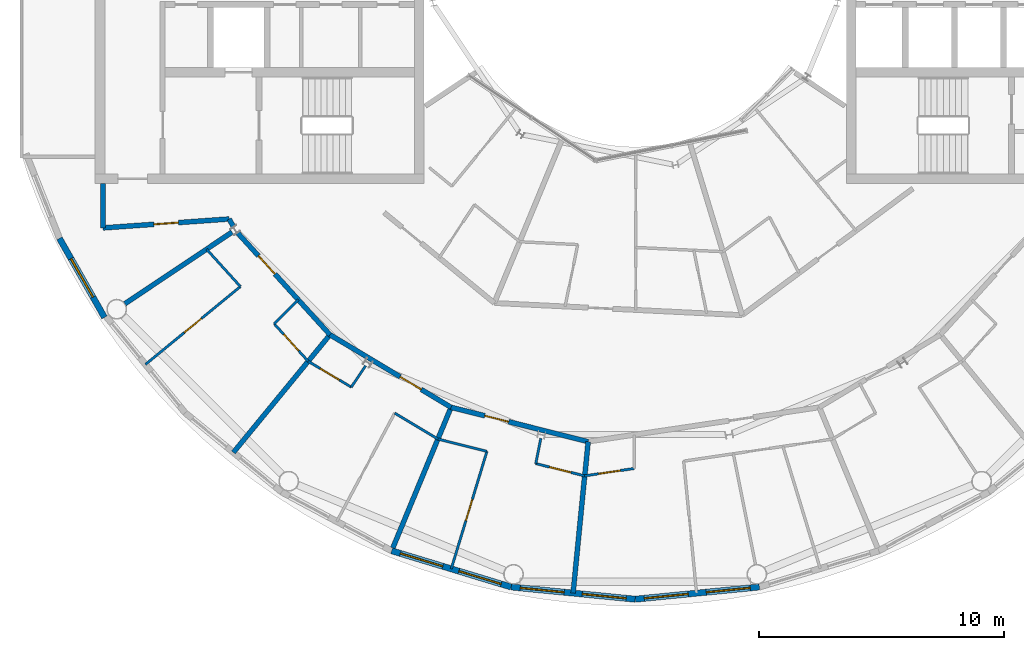
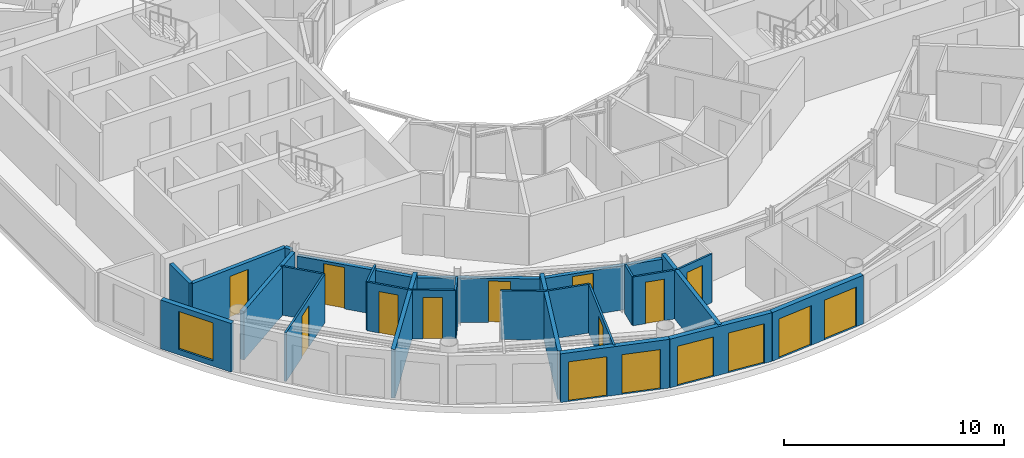
# One storey, part 11 of 22: 27 walls, 16 doors, 1 window, 17 openings.
"""IFC4 building model written with IfcOpenShell, lengths in metres."""

from ifc_helpers import new_model, si_unit, direction, frame, frame_2d, origin, place, context, subcontext, project, spatial, rectangle, extrude, material, layer, layer_set, type_object, element, fill, save


model = new_model("IFC4")

# Units and contexts
model_context = context("Model", 3, precision=1e-05, world=origin(), true_north=direction((0.0, 1.0)))
body_context = subcontext(model_context, "Body", "Model", "MODEL_VIEW")
ifc_project = project(units=[si_unit("LENGTHUNIT", "METRE"), si_unit("AREAUNIT", "SQUARE_METRE"), si_unit("VOLUMEUNIT", "CUBIC_METRE"), si_unit("PLANEANGLEUNIT", "RADIAN"), si_unit("MASSUNIT", "GRAM", prefix="KILO")], contexts=[model_context])

# Site, building, storey
site_placement = place(None, origin())
site = spatial("IfcSite", under=ifc_project, at=site_placement, CompositionType="ELEMENT")
building_placement = place(site_placement, origin())
building = spatial("IfcBuilding", under=site, at=building_placement, Name="Maasbend Ring Residences", CompositionType="ELEMENT")
storey_placement = place(building_placement, frame((0.0, 0.0, 237.10009765625)))
storey = spatial("IfcBuildingStorey", under=building, at=storey_placement, Name="L68", CompositionType="ELEMENT", Elevation=237.10009765625)

# Wall
ifc_material_1 = material(Name="Concrete C30/37", Category="concrete")
ifc_layer_1 = layer(ifc_material_1, 0.199951171875)
ifc_layer_set_1 = layer_set([ifc_layer_1], Name="Concrete C30/37")
wall_type_1 = type_object("IfcWallType", Name="CORRIDOR WALL 200 CONCRETE", PredefinedType="PARTITIONING", material=ifc_layer_set_1)
wall_1_placement = place(storey_placement, frame((-16.534912109375, -10.43701171875, 0.0), z_axis=(0.0, 0.0, 1.0), x_axis=(0.465802239822, -0.884888848035, 0.0)))
element("IfcWall", 1, at=wall_1_placement, inside=storey, type_object=wall_type_1, Name="U-L68-w015", PredefinedType="PARTITIONING", context=body_context, shape_type="SweptSolid", body=[
    extrude(rectangle(XDim=0.360595703125, YDim=0.199951171875, at=frame_2d((0.18017578125, 0.0))), origin(), (0.0, 0.0, 1.0), 2.699951171875),
])

# Wall, opening, door
wall_2_placement = place(storey_placement, frame((-16.195068359375, -11.001953125, 0.0), z_axis=(0.0, 0.0, 1.0), x_axis=(0.671619657805, -0.740896102871, 0.0)))
wall_2 = element("IfcWall", 2, at=wall_2_placement, inside=storey, type_object=wall_type_1, Name="U-L68-w017", PredefinedType="PARTITIONING", context=body_context, shape_type="SweptSolid", body=[
    extrude(rectangle(XDim=5.599853515625, YDim=0.199951171875, at=frame_2d((2.7998046875, 0.0))), origin(), (0.0, 0.0, 1.0), 2.449951171875),
])
opening_1_placement = place(wall_2_placement, frame((1.264892578125, 0.0, 0.0)))
opening_1 = element("IfcOpeningElement", 3, at=opening_1_placement, cuts=wall_2, Name="Opening D-6833", PredefinedType="OPENING", context=body_context, shape_type="SweptSolid", body=[
    extrude(rectangle(XDim=1.0, YDim=2.300048828125, at=frame_2d((0.5, 1.14990234375))), frame((0.0, 0.10986328125, 0.0), z_axis=(0.0, -1.0, 0.0), x_axis=(1.0, 0.0, 0.0)), (0.0, 0.0, 1.0), 0.219970703125),
])
ifc_material_2 = material(Name="Timber, fire-rated, painted", Category="wood")
door_type_1 = type_object("IfcDoorType", Name="FLAT ENTRANCE DOOR 1000 X 2300 FIRE-RATED", OperationType="NOTDEFINED", PredefinedType="DOOR", material=ifc_material_2)
door_1_placement = place(opening_1_placement, origin())
door_1 = element("IfcDoor", 4, at=door_1_placement, inside=storey, type_object=door_type_1, Name="D-6833", OperationType="SINGLE_SWING_LEFT", OverallHeight=2.300048828125, OverallWidth=1.0, PredefinedType="DOOR", context=body_context, shape_type="SweptSolid", body=[
    extrude(rectangle(XDim=1.0, YDim=2.300048828125, at=frame_2d((0.5, 1.14990234375))), frame((0.0, 0.02490234375, 0.0), z_axis=(0.0, -1.0, 0.0), x_axis=(1.0, 0.0, 0.0)), (0.0, 0.0, 1.0), 0.050048828125),
])
fill(opening_1, door_1)

wall_3_placement = place(storey_placement, frame((-12.43408203125, -15.15087890625, 0.0), z_axis=(0.0, 0.0, 1.0), x_axis=(0.857710084627, -0.514133650648, 0.0)))
wall_3 = element("IfcWall", 5, at=wall_3_placement, inside=storey, type_object=wall_type_1, Name="U-L68-w018", PredefinedType="PARTITIONING", context=body_context, shape_type="SweptSolid", body=[
    extrude(rectangle(XDim=5.75146484375, YDim=0.199951171875, at=frame_2d((2.875732421875, 0.0))), origin(), (0.0, 0.0, 1.0), 2.449951171875),
])
opening_2_placement = place(wall_3_placement, frame((3.3330078125, 0.0, 0.0)))
opening_2 = element("IfcOpeningElement", 6, at=opening_2_placement, cuts=wall_3, Name="Opening D-6836", PredefinedType="OPENING", context=body_context, shape_type="SweptSolid", body=[
    extrude(rectangle(XDim=1.0, YDim=2.300048828125, at=frame_2d((0.5, 1.14990234375))), frame((0.0, 0.10986328125, 0.0), z_axis=(0.0, -1.0, 0.0), x_axis=(1.0, 0.0, 0.0)), (0.0, 0.0, 1.0), 0.219970703125),
])
door_2_placement = place(opening_2_placement, origin())
door_2 = element("IfcDoor", 7, at=door_2_placement, inside=storey, type_object=door_type_1, Name="D-6836", OperationType="SINGLE_SWING_RIGHT", OverallHeight=2.300048828125, OverallWidth=1.0, PredefinedType="DOOR", context=body_context, shape_type="SweptSolid", body=[
    extrude(rectangle(XDim=1.0, YDim=2.300048828125, at=frame_2d((0.5, 1.14990234375))), frame((0.0, 0.02490234375, 0.0), z_axis=(0.0, -1.0, 0.0), x_axis=(1.0, 0.0, 0.0)), (0.0, 0.0, 1.0), 0.050048828125),
])
fill(opening_2, door_2)

wall_4_placement = place(storey_placement, frame((-7.5009765625, -18.10791015625, 0.0), z_axis=(0.0, 0.0, 1.0), x_axis=(0.970012544183, -0.243054858266, 0.0)))
wall_4 = element("IfcWall", 8, at=wall_4_placement, inside=storey, type_object=wall_type_1, Name="U-L68-w019", PredefinedType="PARTITIONING", context=body_context, shape_type="SweptSolid", body=[
    extrude(rectangle(XDim=5.752685546875, YDim=0.199951171875, at=frame_2d((2.87646484375, 0.0))), origin(), (0.0, 0.0, 1.0), 2.449951171875),
])
opening_3_placement = place(wall_4_placement, frame((1.4169921875, 0.0, 0.0)))
opening_3 = element("IfcOpeningElement", 9, at=opening_3_placement, cuts=wall_4, Name="Opening D-6839", PredefinedType="OPENING", context=body_context, shape_type="SweptSolid", body=[
    extrude(rectangle(XDim=1.0, YDim=2.300048828125, at=frame_2d((0.5, 1.14990234375))), frame((0.0, 0.10986328125, 0.0), z_axis=(0.0, -1.0, 0.0), x_axis=(1.0, 0.0, 0.0)), (0.0, 0.0, 1.0), 0.219970703125),
])
door_3_placement = place(opening_3_placement, origin())
door_3 = element("IfcDoor", 10, at=door_3_placement, inside=storey, type_object=door_type_1, Name="D-6839", OperationType="SINGLE_SWING_LEFT", OverallHeight=2.300048828125, OverallWidth=1.0, PredefinedType="DOOR", context=body_context, shape_type="SweptSolid", body=[
    extrude(rectangle(XDim=1.0, YDim=2.300048828125, at=frame_2d((0.5, 1.14990234375))), frame((0.0, 0.02490234375, 0.0), z_axis=(0.0, -1.0, 0.0), x_axis=(1.0, 0.0, 0.0)), (0.0, 0.0, 1.0), 0.050048828125),
])
fill(opening_3, door_3)

wall_5_placement = place(storey_placement, frame((-21.675048828125, -10.800048828125, 0.0), z_axis=(0.0, 0.0, 1.0), x_axis=(0.997515141784, 0.070452408845, 0.0)))
wall_5 = element("IfcWall", 11, at=wall_5_placement, inside=storey, type_object=wall_type_1, Name="U-L68-w032", PredefinedType="PARTITIONING", context=body_context, shape_type="SweptSolid", body=[
    extrude(rectangle(XDim=5.15283203125, YDim=0.199951171875, at=frame_2d((2.576416015625, 0.0))), origin(), (0.0, 0.0, 1.0), 2.699951171875),
])
opening_4_placement = place(wall_5_placement, frame((2.075927734375, 0.0, 0.0)))
opening_4 = element("IfcOpeningElement", 12, at=opening_4_placement, cuts=wall_5, Name="Opening D-6865", PredefinedType="OPENING", context=body_context, shape_type="SweptSolid", body=[
    extrude(rectangle(XDim=1.0, YDim=2.300048828125, at=frame_2d((0.5, 1.14990234375))), frame((0.0, 0.10986328125, 0.0), z_axis=(0.0, -1.0, 0.0), x_axis=(1.0, 0.0, 0.0)), (0.0, 0.0, 1.0), 0.219970703125),
])
ifc_material_3 = material(Name="Timber, painted", Category="wood")
door_type_2 = type_object("IfcDoorType", Name="ROOM DOOR 1000 X 2300", OperationType="NOTDEFINED", PredefinedType="DOOR", material=ifc_material_3)
door_4_placement = place(opening_4_placement, origin())
door_4 = element("IfcDoor", 13, at=door_4_placement, inside=storey, type_object=door_type_2, Name="D-6865", OperationType="SINGLE_SWING_RIGHT", OverallHeight=2.300048828125, OverallWidth=1.0, PredefinedType="DOOR", context=body_context, shape_type="SweptSolid", body=[
    extrude(rectangle(XDim=1.0, YDim=2.300048828125, at=frame_2d((0.5, 1.14990234375))), frame((0.0, 0.02490234375, 0.0), z_axis=(0.0, -1.0, 0.0), x_axis=(1.0, 0.0, 0.0)), (0.0, 0.0, 1.0), 0.050048828125),
])
fill(opening_4, door_4)

# Wall
wall_6_placement = place(storey_placement, frame((-21.675048828125, -10.800048828125, 0.0), z_axis=(0.0, 0.0, 1.0), x_axis=(0.0, 1.0, 0.0)))
element("IfcWall", 14, at=wall_6_placement, inside=storey, type_object=wall_type_1, Name="U-L68-w130", PredefinedType="PARTITIONING", context=body_context, shape_type="SweptSolid", body=[
    extrude(rectangle(XDim=1.800048828125, YDim=0.199951171875, at=frame_2d((0.89990234375, 0.0))), origin(), (0.0, 0.0, 1.0), 2.699951171875),
])

# Wall, openings, doors
ifc_material_4 = material(Name="Aluminium clad insulated panel", Category="aluminium")
ifc_layer_2 = layer(ifc_material_4, 0.25)
ifc_layer_set_2 = layer_set([ifc_layer_2], Name="EW-GL")
wall_type_2 = type_object("IfcWallType", Name="EW-GL", PredefinedType="SOLIDWALL", material=ifc_layer_set_2)
wall_7_placement = place(storey_placement, frame((-9.9208984375, -23.951904296875, 0.0), z_axis=(0.0, 0.0, 1.0), x_axis=(0.956941126395, -0.290282070774, 0.0)))
wall_7 = element("IfcWall", 15, at=wall_7_placement, inside=storey, type_object=wall_type_2, Name="External wall S04", PredefinedType="SOLIDWALL", context=body_context, shape_type="SweptSolid", body=[
    extrude(rectangle(XDim=5.08154296875, YDim=0.25, at=frame_2d((2.540771484375, 0.0))), origin(), (0.0, 0.0, 1.0), 2.699951171875),
])
opening_5_placement = place(wall_7_placement, frame((0.37353515625, 0.0, 0.0)))
opening_5 = element("IfcOpeningElement", 16, at=opening_5_placement, cuts=wall_7, Name="Opening D-TR", PredefinedType="OPENING", context=body_context, shape_type="SweptSolid", body=[
    extrude(rectangle(XDim=1.800048828125, YDim=2.199951171875, at=frame_2d((0.89990234375, 1.10009765625))), frame((0.0, 0.135009765625, 0.0), z_axis=(0.0, -1.0, 0.0), x_axis=(1.0, 0.0, 0.0)), (0.0, 0.0, 1.0), 0.27001953125),
])
opening_6_placement = place(wall_7_placement, frame((2.861083984375, 0.0, 0.0)))
opening_6 = element("IfcOpeningElement", 17, at=opening_6_placement, cuts=wall_7, Name="Opening D-TR", PredefinedType="OPENING", context=body_context, shape_type="SweptSolid", body=[
    extrude(rectangle(XDim=1.800048828125, YDim=2.199951171875, at=frame_2d((0.89990234375, 1.10009765625))), frame((0.0, 0.135009765625, 0.0), z_axis=(0.0, -1.0, 0.0), x_axis=(1.0, 0.0, 0.0)), (0.0, 0.0, 1.0), 0.27001953125),
])
ifc_material_5 = material(Name="Aluminium and clear glass", Category="aluminium")
door_type_3 = type_object("IfcDoorType", Name="D-TR", OperationType="DOUBLE_DOOR_SINGLE_SWING", PredefinedType="DOOR", material=ifc_material_5)
door_5_placement = place(opening_5_placement, origin())
door_5 = element("IfcDoor", 18, at=door_5_placement, inside=storey, type_object=door_type_3, Name="Terrace door S07", OperationType="SINGLE_SWING_LEFT", OverallHeight=2.199951171875, OverallWidth=1.800048828125, PredefinedType="DOOR", context=body_context, shape_type="SweptSolid", body=[
    extrude(rectangle(XDim=1.800048828125, YDim=2.199951171875, at=frame_2d((0.89990234375, 1.10009765625))), frame((0.0, 0.02490234375, 0.0), z_axis=(0.0, -1.0, 0.0), x_axis=(1.0, 0.0, 0.0)), (0.0, 0.0, 1.0), 0.050048828125),
])
fill(opening_5, door_5)
door_6_placement = place(opening_6_placement, origin())
door_6 = element("IfcDoor", 19, at=door_6_placement, inside=storey, type_object=door_type_3, Name="Terrace door S08", OperationType="SINGLE_SWING_LEFT", OverallHeight=2.199951171875, OverallWidth=1.800048828125, PredefinedType="DOOR", context=body_context, shape_type="SweptSolid", body=[
    extrude(rectangle(XDim=1.800048828125, YDim=2.199951171875, at=frame_2d((0.89990234375, 1.10009765625))), frame((0.0, 0.02490234375, 0.0), z_axis=(0.0, -1.0, 0.0), x_axis=(1.0, 0.0, 0.0)), (0.0, 0.0, 1.0), 0.050048828125),
])
fill(opening_6, door_6)

wall_8_placement = place(storey_placement, frame((-5.05810546875, -25.427001953125, 0.0), z_axis=(0.0, 0.0, 1.0), x_axis=(0.995187279479, -0.097991217788, 0.0)))
wall_8 = element("IfcWall", 20, at=wall_8_placement, inside=storey, type_object=wall_type_2, Name="External wall S05", PredefinedType="SOLIDWALL", context=body_context, shape_type="SweptSolid", body=[
    extrude(rectangle(XDim=5.08251953125, YDim=0.25, at=frame_2d((2.541259765625, 0.0))), origin(), (0.0, 0.0, 1.0), 2.699951171875),
])
opening_7_placement = place(wall_8_placement, frame((0.37353515625, 0.0, 0.0)))
opening_7 = element("IfcOpeningElement", 21, at=opening_7_placement, cuts=wall_8, Name="Opening D-TR", PredefinedType="OPENING", context=body_context, shape_type="SweptSolid", body=[
    extrude(rectangle(XDim=1.800048828125, YDim=2.199951171875, at=frame_2d((0.89990234375, 1.10009765625))), frame((0.0, 0.135009765625, 0.0), z_axis=(0.0, -1.0, 0.0), x_axis=(1.0, 0.0, 0.0)), (0.0, 0.0, 1.0), 0.27001953125),
])
opening_8_placement = place(wall_8_placement, frame((2.90869140625, 0.0, 0.0)))
opening_8 = element("IfcOpeningElement", 22, at=opening_8_placement, cuts=wall_8, Name="Opening D-TR", PredefinedType="OPENING", context=body_context, shape_type="SweptSolid", body=[
    extrude(rectangle(XDim=1.800048828125, YDim=2.199951171875, at=frame_2d((0.89990234375, 1.10009765625))), frame((0.0, 0.135009765625, 0.0), z_axis=(0.0, -1.0, 0.0), x_axis=(1.0, 0.0, 0.0)), (0.0, 0.0, 1.0), 0.27001953125),
])
door_7_placement = place(opening_7_placement, origin())
door_7 = element("IfcDoor", 23, at=door_7_placement, inside=storey, type_object=door_type_3, Name="Terrace door S09", OperationType="SINGLE_SWING_LEFT", OverallHeight=2.199951171875, OverallWidth=1.800048828125, PredefinedType="DOOR", context=body_context, shape_type="SweptSolid", body=[
    extrude(rectangle(XDim=1.800048828125, YDim=2.199951171875, at=frame_2d((0.89990234375, 1.10009765625))), frame((0.0, 0.02490234375, 0.0), z_axis=(0.0, -1.0, 0.0), x_axis=(1.0, 0.0, 0.0)), (0.0, 0.0, 1.0), 0.050048828125),
])
fill(opening_7, door_7)
door_8_placement = place(opening_8_placement, origin())
door_8 = element("IfcDoor", 24, at=door_8_placement, inside=storey, type_object=door_type_3, Name="Terrace door S10", OperationType="SINGLE_SWING_LEFT", OverallHeight=2.199951171875, OverallWidth=1.800048828125, PredefinedType="DOOR", context=body_context, shape_type="SweptSolid", body=[
    extrude(rectangle(XDim=1.800048828125, YDim=2.199951171875, at=frame_2d((0.89990234375, 1.10009765625))), frame((0.0, 0.02490234375, 0.0), z_axis=(0.0, -1.0, 0.0), x_axis=(1.0, 0.0, 0.0)), (0.0, 0.0, 1.0), 0.050048828125),
])
fill(opening_8, door_8)

wall_9_placement = place(storey_placement, frame((0.0, -25.925048828125, 0.0), z_axis=(0.0, 0.0, 1.0), x_axis=(0.995187279479, 0.097991217788, 0.0)))
wall_9 = element("IfcWall", 25, at=wall_9_placement, inside=storey, type_object=wall_type_2, Name="External wall S06", PredefinedType="SOLIDWALL", context=body_context, shape_type="SweptSolid", body=[
    extrude(rectangle(XDim=5.08251953125, YDim=0.25, at=frame_2d((2.541259765625, 0.0))), origin(), (0.0, 0.0, 1.0), 2.699951171875),
])
opening_9_placement = place(wall_9_placement, frame((0.37353515625, 0.0, 0.0)))
opening_9 = element("IfcOpeningElement", 26, at=opening_9_placement, cuts=wall_9, Name="Opening D-TR", PredefinedType="OPENING", context=body_context, shape_type="SweptSolid", body=[
    extrude(rectangle(XDim=1.800048828125, YDim=2.199951171875, at=frame_2d((0.89990234375, 1.10009765625))), frame((0.0, 0.135009765625, 0.0), z_axis=(0.0, -1.0, 0.0), x_axis=(1.0, 0.0, 0.0)), (0.0, 0.0, 1.0), 0.27001953125),
])
opening_10_placement = place(wall_9_placement, frame((2.90869140625, 0.0, 0.0)))
opening_10 = element("IfcOpeningElement", 27, at=opening_10_placement, cuts=wall_9, Name="Opening D-TR", PredefinedType="OPENING", context=body_context, shape_type="SweptSolid", body=[
    extrude(rectangle(XDim=1.800048828125, YDim=2.199951171875, at=frame_2d((0.89990234375, 1.10009765625))), frame((0.0, 0.135009765625, 0.0), z_axis=(0.0, -1.0, 0.0), x_axis=(1.0, 0.0, 0.0)), (0.0, 0.0, 1.0), 0.27001953125),
])
door_9_placement = place(opening_9_placement, origin())
door_9 = element("IfcDoor", 28, at=door_9_placement, inside=storey, type_object=door_type_3, Name="Terrace door S11", OperationType="SINGLE_SWING_LEFT", OverallHeight=2.199951171875, OverallWidth=1.800048828125, PredefinedType="DOOR", context=body_context, shape_type="SweptSolid", body=[
    extrude(rectangle(XDim=1.800048828125, YDim=2.199951171875, at=frame_2d((0.89990234375, 1.10009765625))), frame((0.0, 0.02490234375, 0.0), z_axis=(0.0, -1.0, 0.0), x_axis=(1.0, 0.0, 0.0)), (0.0, 0.0, 1.0), 0.050048828125),
])
fill(opening_9, door_9)
door_10_placement = place(opening_10_placement, origin())
door_10 = element("IfcDoor", 29, at=door_10_placement, inside=storey, type_object=door_type_3, Name="Terrace door S12", OperationType="SINGLE_SWING_LEFT", OverallHeight=2.199951171875, OverallWidth=1.800048828125, PredefinedType="DOOR", context=body_context, shape_type="SweptSolid", body=[
    extrude(rectangle(XDim=1.800048828125, YDim=2.199951171875, at=frame_2d((0.89990234375, 1.10009765625))), frame((0.0, 0.02490234375, 0.0), z_axis=(0.0, -1.0, 0.0), x_axis=(1.0, 0.0, 0.0)), (0.0, 0.0, 1.0), 0.050048828125),
])
fill(opening_10, door_10)

# Wall, opening, window
ifc_material_6 = material(Name="Aluminium clad insulated panel", Category="aluminium")
ifc_layer_3 = layer(ifc_material_6, 0.25)
ifc_layer_set_3 = layer_set([ifc_layer_3], Name="EW-HORN")
wall_type_3 = type_object("IfcWallType", Name="EW-HORN", PredefinedType="SOLIDWALL", material=ifc_layer_set_3)
wall_10_placement = place(storey_placement, frame((-23.451904296875, -11.22607421875, 0.0), z_axis=(0.0, 0.0, 1.0), x_axis=(0.495031435966, -0.868875064325, 0.0)))
wall_10 = element("IfcWall", 30, at=wall_10_placement, inside=storey, type_object=wall_type_3, Name="Horn wall 3.2", PredefinedType="SOLIDWALL", context=body_context, shape_type="SweptSolid", body=[
    extrude(rectangle(XDim=3.704833984375, YDim=0.25, at=frame_2d((1.8525390625, 0.0))), origin(), (0.0, 0.0, 1.0), 2.699951171875),
])
opening_11_placement = place(wall_10_placement, frame((0.952392578125, 0.0, 0.300048828125)))
opening_11 = element("IfcOpeningElement", 31, at=opening_11_placement, cuts=wall_10, Name="Opening W-BX", PredefinedType="OPENING", context=body_context, shape_type="SweptSolid", body=[
    extrude(rectangle(XDim=1.800048828125, YDim=2.10009765625, at=frame_2d((0.89990234375, 1.050048828125))), frame((0.0, 0.135009765625, 0.0), z_axis=(0.0, -1.0, 0.0), x_axis=(1.0, 0.0, 0.0)), (0.0, 0.0, 1.0), 0.27001953125),
])
ifc_material_7 = material(Name="Aluminium and clear glass", Category="aluminium")
window_type = type_object("IfcWindowType", Name="W-BX", PartitioningType="DOUBLE_PANEL_VERTICAL", PredefinedType="WINDOW", material=ifc_material_7)
window_placement = place(opening_11_placement, origin())
window = element("IfcWindow", 32, at=window_placement, inside=storey, type_object=window_type, Name="Horn window 3.2", OverallHeight=2.10009765625, OverallWidth=1.800048828125, PartitioningType="SINGLE_PANEL", PredefinedType="WINDOW", context=body_context, shape_type="SweptSolid", body=[
    extrude(rectangle(XDim=1.800048828125, YDim=2.10009765625, at=frame_2d((0.89990234375, 1.050048828125))), frame((0.0, 0.030029296875, 0.0), z_axis=(0.0, -1.0, 0.0), x_axis=(1.0, 0.0, 0.0)), (0.0, 0.0, 1.0), 0.06005859375),
])
fill(opening_11, window)

# Wall
ifc_material_8 = material(Name="Gypsum board on steel studs", Category="steel")
ifc_layer_4 = layer(ifc_material_8, 0.10009765625)
ifc_layer_set_4 = layer_set([ifc_layer_4], Name="PARTITION 100 GYPSUM")
wall_type_4 = type_object("IfcWallType", Name="PARTITION 100 GYPSUM", PredefinedType="PARTITIONING", material=ifc_layer_set_4)
wall_11_placement = place(storey_placement, frame((-17.4619140625, -11.6669921875, 0.0), z_axis=(0.0, 0.0, 1.0), x_axis=(0.671678456097, -0.74084279818, 0.0)))
element("IfcWall", 33, at=wall_11_placement, inside=storey, type_object=wall_type_4, Name="U-L68-w003", PredefinedType="PARTITIONING", context=body_context, shape_type="SweptSolid", body=[
    extrude(rectangle(XDim=2.054443359375, YDim=0.10009765625, at=frame_2d((1.02734375, 0.0))), origin(), (0.0, 0.0, 1.0), 2.699951171875),
])

# Wall, opening, door
wall_12_placement = place(storey_placement, frame((-14.701904296875, -14.7109375, 0.0), z_axis=(0.0, 0.0, 1.0), x_axis=(0.671678456097, -0.74084279818, 0.0)))
wall_12 = element("IfcWall", 34, at=wall_12_placement, inside=storey, type_object=wall_type_4, Name="U-L68-w004", PredefinedType="PARTITIONING", context=body_context, shape_type="SweptSolid", body=[
    extrude(rectangle(XDim=2.054443359375, YDim=0.10009765625, at=frame_2d((1.02734375, 0.0))), origin(), (0.0, 0.0, 1.0), 2.699951171875),
])
opening_12_placement = place(wall_12_placement, frame((0.576904296875, 0.0, 0.0)))
opening_12 = element("IfcOpeningElement", 35, at=opening_12_placement, cuts=wall_12, Name="Opening D-6834", PredefinedType="OPENING", context=body_context, shape_type="SweptSolid", body=[
    extrude(rectangle(XDim=0.89990234375, YDim=2.300048828125, at=frame_2d((0.449951171875, 1.14990234375))), frame((0.0, 0.06005859375, 0.0), z_axis=(0.0, -1.0, 0.0), x_axis=(1.0, 0.0, 0.0)), (0.0, 0.0, 1.0), 0.1201171875),
])
ifc_material_9 = material(Name="Timber, painted", Category="wood")
door_type_4 = type_object("IfcDoorType", Name="INTERNAL DOOR 900 X 2300", OperationType="NOTDEFINED", PredefinedType="DOOR", material=ifc_material_9)
door_11_placement = place(opening_12_placement, origin())
door_11 = element("IfcDoor", 36, at=door_11_placement, inside=storey, type_object=door_type_4, Name="D-6834", OperationType="SINGLE_SWING_RIGHT", OverallHeight=2.300048828125, OverallWidth=0.89990234375, PredefinedType="DOOR", context=body_context, shape_type="SweptSolid", body=[
    extrude(rectangle(XDim=0.89990234375, YDim=2.300048828125, at=frame_2d((0.449951171875, 1.14990234375))), frame((0.0, 0.02490234375, 0.0), z_axis=(0.0, -1.0, 0.0), x_axis=(1.0, 0.0, 0.0)), (0.0, 0.0, 1.0), 0.050048828125),
])
fill(opening_12, door_11)

wall_13_placement = place(storey_placement, frame((-13.322021484375, -16.23291015625, 0.0), z_axis=(0.0, 0.0, 1.0), x_axis=(0.857713062192, -0.514128683254, 0.0)))
wall_13 = element("IfcWall", 37, at=wall_13_placement, inside=storey, type_object=wall_type_4, Name="U-L68-w005", PredefinedType="PARTITIONING", context=body_context, shape_type="SweptSolid", body=[
    extrude(rectangle(XDim=2.05419921875, YDim=0.10009765625, at=frame_2d((1.027099609375, 0.0))), origin(), (0.0, 0.0, 1.0), 2.699951171875),
])
opening_13_placement = place(wall_13_placement, frame((0.576904296875, 0.0, 0.0)))
opening_13 = element("IfcOpeningElement", 38, at=opening_13_placement, cuts=wall_13, Name="Opening D-6837", PredefinedType="OPENING", context=body_context, shape_type="SweptSolid", body=[
    extrude(rectangle(XDim=0.89990234375, YDim=2.300048828125, at=frame_2d((0.449951171875, 1.14990234375))), frame((0.0, 0.06005859375, 0.0), z_axis=(0.0, -1.0, 0.0), x_axis=(1.0, 0.0, 0.0)), (0.0, 0.0, 1.0), 0.1201171875),
])
door_12_placement = place(opening_13_placement, origin())
door_12 = element("IfcDoor", 39, at=door_12_placement, inside=storey, type_object=door_type_4, Name="D-6837", OperationType="SINGLE_SWING_RIGHT", OverallHeight=2.300048828125, OverallWidth=0.89990234375, PredefinedType="DOOR", context=body_context, shape_type="SweptSolid", body=[
    extrude(rectangle(XDim=0.89990234375, YDim=2.300048828125, at=frame_2d((0.449951171875, 1.14990234375))), frame((0.0, 0.02490234375, 0.0), z_axis=(0.0, -1.0, 0.0), x_axis=(1.0, 0.0, 0.0)), (0.0, 0.0, 1.0), 0.050048828125),
])
fill(opening_13, door_12)

# Walls
wall_14_placement = place(storey_placement, frame((-9.798095703125, -18.344970703125, 0.0), z_axis=(0.0, 0.0, 1.0), x_axis=(0.857796869978, -0.513988842152, 0.0)))
element("IfcWall", 40, at=wall_14_placement, inside=storey, type_object=wall_type_4, Name="U-L68-w006", PredefinedType="PARTITIONING", context=body_context, shape_type="SweptSolid", body=[
    extrude(rectangle(XDim=2.054443359375, YDim=0.10009765625, at=frame_2d((1.02734375, 0.0))), origin(), (0.0, 0.0, 1.0), 2.699951171875),
])
wall_15_placement = place(storey_placement, frame((-8.035888671875, -19.40087890625, 0.0), z_axis=(0.0, 0.0, 1.0), x_axis=(0.96991130126, -0.243458554355, 0.0)))
element("IfcWall", 41, at=wall_15_placement, inside=storey, type_object=wall_type_4, Name="U-L68-w007", PredefinedType="PARTITIONING", context=body_context, shape_type="SweptSolid", body=[
    extrude(rectangle(XDim=2.0537109375, YDim=0.10009765625, at=frame_2d((1.02685546875, 0.0))), origin(), (0.0, 0.0, 1.0), 2.699951171875),
])

# Wall, opening, door
wall_16_placement = place(storey_placement, frame((-4.06298828125, -20.39794921875, 0.0), z_axis=(0.0, 0.0, 1.0), x_axis=(0.969939465938, -0.24334632197, 0.0)))
wall_16 = element("IfcWall", 42, at=wall_16_placement, inside=storey, type_object=wall_type_4, Name="U-L68-w008", PredefinedType="PARTITIONING", context=body_context, shape_type="SweptSolid", body=[
    extrude(rectangle(XDim=2.0546875, YDim=0.10009765625, at=frame_2d((1.02734375, 0.0))), origin(), (0.0, 0.0, 1.0), 2.699951171875),
])
opening_14_placement = place(wall_16_placement, frame((0.589111328125, 0.0, 0.0)))
opening_14 = element("IfcOpeningElement", 43, at=opening_14_placement, cuts=wall_16, Name="Opening D-6840", PredefinedType="OPENING", context=body_context, shape_type="SweptSolid", body=[
    extrude(rectangle(XDim=0.89990234375, YDim=2.300048828125, at=frame_2d((0.449951171875, 1.14990234375))), frame((0.0, 0.06005859375, 0.0), z_axis=(0.0, -1.0, 0.0), x_axis=(1.0, 0.0, 0.0)), (0.0, 0.0, 1.0), 0.1201171875),
])
door_13_placement = place(opening_14_placement, origin())
door_13 = element("IfcDoor", 44, at=door_13_placement, inside=storey, type_object=door_type_4, Name="D-6840", OperationType="SINGLE_SWING_RIGHT", OverallHeight=2.300048828125, OverallWidth=0.89990234375, PredefinedType="DOOR", context=body_context, shape_type="SweptSolid", body=[
    extrude(rectangle(XDim=0.89990234375, YDim=2.300048828125, at=frame_2d((0.449951171875, 1.14990234375))), frame((0.0, 0.02490234375, 0.0), z_axis=(0.0, -1.0, 0.0), x_axis=(1.0, 0.0, 0.0)), (0.0, 0.0, 1.0), 0.050048828125),
])
fill(opening_14, door_13)

wall_17_placement = place(storey_placement, frame((-2.06103515625, -20.89990234375, 0.0), z_axis=(0.0, 0.0, 1.0), x_axis=(0.989154601185, 0.146878095557, 0.0)))
wall_17 = element("IfcWall", 45, at=wall_17_placement, inside=storey, type_object=wall_type_4, Name="U-L68-w013", PredefinedType="PARTITIONING", context=body_context, shape_type="SweptSolid", body=[
    extrude(rectangle(XDim=2.041259765625, YDim=0.10009765625, at=frame_2d((1.0205078125, 0.0))), origin(), (0.0, 0.0, 1.0), 2.699951171875),
])
opening_15_placement = place(wall_17_placement, frame((0.573974609375, 0.0, 0.0)))
opening_15 = element("IfcOpeningElement", 46, at=opening_15_placement, cuts=wall_17, Name="Opening D-6843", PredefinedType="OPENING", context=body_context, shape_type="SweptSolid", body=[
    extrude(rectangle(XDim=0.89990234375, YDim=2.300048828125, at=frame_2d((0.449951171875, 1.14990234375))), frame((0.0, 0.06005859375, 0.0), z_axis=(0.0, -1.0, 0.0), x_axis=(1.0, 0.0, 0.0)), (0.0, 0.0, 1.0), 0.1201171875),
])
door_14_placement = place(opening_15_placement, origin())
door_14 = element("IfcDoor", 47, at=door_14_placement, inside=storey, type_object=door_type_4, Name="D-6843", OperationType="SINGLE_SWING_RIGHT", OverallHeight=2.300048828125, OverallWidth=0.89990234375, PredefinedType="DOOR", context=body_context, shape_type="SweptSolid", body=[
    extrude(rectangle(XDim=0.89990234375, YDim=2.300048828125, at=frame_2d((0.449951171875, 1.14990234375))), frame((0.0, 0.02490234375, 0.0), z_axis=(0.0, -1.0, 0.0), x_axis=(1.0, 0.0, 0.0)), (0.0, 0.0, 1.0), 0.050048828125),
])
fill(opening_15, door_14)

wall_18_placement = place(storey_placement, frame((-19.948974609375, -16.361083984375, 0.0), z_axis=(0.0, 0.0, 1.0), x_axis=(0.773226150619, 0.634130365145, 0.0)))
wall_18 = element("IfcWall", 48, at=wall_18_placement, inside=storey, type_object=wall_type_4, Name="U-L68-w042", PredefinedType="PARTITIONING", context=body_context, shape_type="SweptSolid", body=[
    extrude(rectangle(XDim=5.002197265625, YDim=0.10009765625, at=frame_2d((2.5009765625, 0.0))), origin(), (0.0, 0.0, 1.0), 2.699951171875),
])
opening_16_placement = place(wall_18_placement, frame((2.051025390625, 0.0, 0.0)))
opening_16 = element("IfcOpeningElement", 49, at=opening_16_placement, cuts=wall_18, Name="Opening D-6835", PredefinedType="OPENING", context=body_context, shape_type="SweptSolid", body=[
    extrude(rectangle(XDim=0.89990234375, YDim=2.300048828125, at=frame_2d((0.449951171875, 1.14990234375))), frame((0.0, 0.06005859375, 0.0), z_axis=(0.0, -1.0, 0.0), x_axis=(1.0, 0.0, 0.0)), (0.0, 0.0, 1.0), 0.1201171875),
])
door_15_placement = place(opening_16_placement, origin())
door_15 = element("IfcDoor", 50, at=door_15_placement, inside=storey, type_object=door_type_4, Name="D-6835", OperationType="SINGLE_SWING_RIGHT", OverallHeight=2.300048828125, OverallWidth=0.89990234375, PredefinedType="DOOR", context=body_context, shape_type="SweptSolid", body=[
    extrude(rectangle(XDim=0.89990234375, YDim=2.300048828125, at=frame_2d((0.449951171875, 1.14990234375))), frame((0.0, 0.02490234375, 0.0), z_axis=(0.0, -1.0, 0.0), x_axis=(1.0, 0.0, 0.0)), (0.0, 0.0, 1.0), 0.050048828125),
])
fill(opening_16, door_15)

# Walls
wall_19_placement = place(storey_placement, frame((-14.702880859375, -14.7099609375, 0.0), z_axis=(0.0, 0.0, 1.0), x_axis=(0.707458838269, 0.706754548733, 0.0)))
element("IfcWall", 51, at=wall_19_placement, inside=storey, type_object=wall_type_4, Name="U-L68-w047", PredefinedType="PARTITIONING", context=body_context, shape_type="SweptSolid", body=[
    extrude(rectangle(XDim=1.386474609375, YDim=0.10009765625, at=frame_2d((0.693359375, 0.0))), origin(), (0.0, 0.0, 1.0), 2.699951171875),
])
wall_20_placement = place(storey_placement, frame((-11.56494140625, -17.285888671875, 0.0), z_axis=(0.0, 0.0, 1.0), x_axis=(0.556311964259, 0.830973524502, 0.0)))
element("IfcWall", 52, at=wall_20_placement, inside=storey, type_object=wall_type_4, Name="U-L68-w050", PredefinedType="PARTITIONING", context=body_context, shape_type="SweptSolid", body=[
    extrude(rectangle(XDim=1.048095703125, YDim=0.10009765625, at=frame_2d((0.52392578125, 0.0))), origin(), (0.0, 0.0, 1.0), 2.699951171875),
])

# Wall, opening, door
wall_21_placement = place(storey_placement, frame((-7.492919921875, -24.68798828125, 0.0), z_axis=(0.0, 0.0, 1.0), x_axis=(0.290485594165, 0.956879365219, 0.0)))
wall_21 = element("IfcWall", 53, at=wall_21_placement, inside=storey, type_object=wall_type_4, Name="U-L68-w056", PredefinedType="PARTITIONING", context=body_context, shape_type="SweptSolid", body=[
    extrude(rectangle(XDim=5.00146484375, YDim=0.10009765625, at=frame_2d((2.500732421875, 0.0))), origin(), (0.0, 0.0, 1.0), 2.699951171875),
])
opening_17_placement = place(wall_21_placement, frame((2.051025390625, 0.0, 0.0)))
opening_17 = element("IfcOpeningElement", 54, at=opening_17_placement, cuts=wall_21, Name="Opening D-6841", PredefinedType="OPENING", context=body_context, shape_type="SweptSolid", body=[
    extrude(rectangle(XDim=0.89990234375, YDim=2.300048828125, at=frame_2d((0.449951171875, 1.14990234375))), frame((0.0, 0.06005859375, 0.0), z_axis=(0.0, -1.0, 0.0), x_axis=(1.0, 0.0, 0.0)), (0.0, 0.0, 1.0), 0.1201171875),
])
door_16_placement = place(opening_17_placement, origin())
door_16 = element("IfcDoor", 55, at=door_16_placement, inside=storey, type_object=door_type_4, Name="D-6841", OperationType="SINGLE_SWING_LEFT", OverallHeight=2.300048828125, OverallWidth=0.89990234375, PredefinedType="DOOR", context=body_context, shape_type="SweptSolid", body=[
    extrude(rectangle(XDim=0.89990234375, YDim=2.300048828125, at=frame_2d((0.449951171875, 1.14990234375))), frame((0.0, 0.02490234375, 0.0), z_axis=(0.0, -1.0, 0.0), x_axis=(1.0, 0.0, 0.0)), (0.0, 0.0, 1.0), 0.050048828125),
])
fill(opening_17, door_16)

# Walls
wall_22_placement = place(storey_placement, frame((-4.049072265625, -20.39990234375, 0.0), z_axis=(0.0, 0.0, 1.0), x_axis=(0.194771831703, 0.980848578311, 0.0)))
element("IfcWall", 56, at=wall_22_placement, inside=storey, type_object=wall_type_4, Name="U-L68-w062", PredefinedType="PARTITIONING", context=body_context, shape_type="SweptSolid", body=[
    extrude(rectangle(XDim=1.0478515625, YDim=0.10009765625, at=frame_2d((0.52392578125, 0.0))), origin(), (0.0, 0.0, 1.0), 2.699951171875),
])
ifc_material_10 = material(Name="Concrete C30/37", Category="concrete")
ifc_layer_5 = layer(ifc_material_10, 0.199951171875)
ifc_layer_set_5 = layer_set([ifc_layer_5], Name="Concrete C30/37")
wall_type_5 = type_object("IfcWallType", Name="PARTY WALL 200 CONCRETE", PredefinedType="PARTITIONING", material=ifc_layer_set_5)
wall_23_placement = place(storey_placement, frame((-20.7880859375, -13.889892578125, 0.0), z_axis=(0.0, 0.0, 1.0), x_axis=(0.831406006746, 0.555665413668, 0.0)))
element("IfcWall", 57, at=wall_23_placement, inside=storey, type_object=wall_type_5, Name="U-L68-w040", PredefinedType="PARTITIONING", context=body_context, shape_type="SweptSolid", body=[
    extrude(rectangle(XDim=5.251220703125, YDim=0.199951171875, at=frame_2d((2.62548828125, 0.0))), origin(), (0.0, 0.0, 1.0), 2.699951171875),
])
wall_24_placement = place(storey_placement, frame((-16.365966796875, -19.945068359375, 0.0), z_axis=(0.0, 0.0, 1.0), x_axis=(0.634332904094, 0.773060002059, 0.0)))
element("IfcWall", 58, at=wall_24_placement, inside=storey, type_object=wall_type_5, Name="U-L68-w044", PredefinedType="PARTITIONING", context=body_context, shape_type="SweptSolid", body=[
    extrude(rectangle(XDim=6.199951171875, YDim=0.199951171875, at=frame_2d((3.10009765625, 0.0))), origin(), (0.0, 0.0, 1.0), 2.699951171875),
])
wall_25_placement = place(storey_placement, frame((-9.873046875, -23.8359375, 0.0), z_axis=(0.0, 0.0, 1.0), x_axis=(0.382606842458, 0.92391125337, 0.0)))
element("IfcWall", 59, at=wall_25_placement, inside=storey, type_object=wall_type_5, Name="U-L68-w051", PredefinedType="PARTITIONING", context=body_context, shape_type="SweptSolid", body=[
    extrude(rectangle(XDim=6.19970703125, YDim=0.199951171875, at=frame_2d((3.099853515625, 0.0))), origin(), (0.0, 0.0, 1.0), 2.699951171875),
])
wall_26_placement = place(storey_placement, frame((-2.529052734375, -25.676025390625, 0.0), z_axis=(0.0, 0.0, 1.0), x_axis=(0.098108750677, 0.995175699583, 0.0)))
element("IfcWall", 60, at=wall_26_placement, inside=storey, type_object=wall_type_5, Name="U-L68-w064", PredefinedType="PARTITIONING", context=body_context, shape_type="SweptSolid", body=[
    extrude(rectangle(XDim=4.80029296875, YDim=0.199951171875, at=frame_2d((2.400146484375, 0.0))), origin(), (0.0, 0.0, 1.0), 2.699951171875),
])
wall_27_placement = place(storey_placement, frame((-2.052978515625, -20.89990234375, 0.0), z_axis=(0.0, 0.0, 1.0), x_axis=(0.097862778951, 0.995199917854, 0.0)))
element("IfcWall", 61, at=wall_27_placement, inside=storey, type_object=wall_type_5, Name="U-L68-w066", PredefinedType="PARTITIONING", context=body_context, shape_type="SweptSolid", body=[
    extrude(rectangle(XDim=1.399658203125, YDim=0.199951171875, at=frame_2d((0.69970703125, 0.0))), origin(), (0.0, 0.0, 1.0), 2.699951171875),
])

save(model, "model.ifc")
